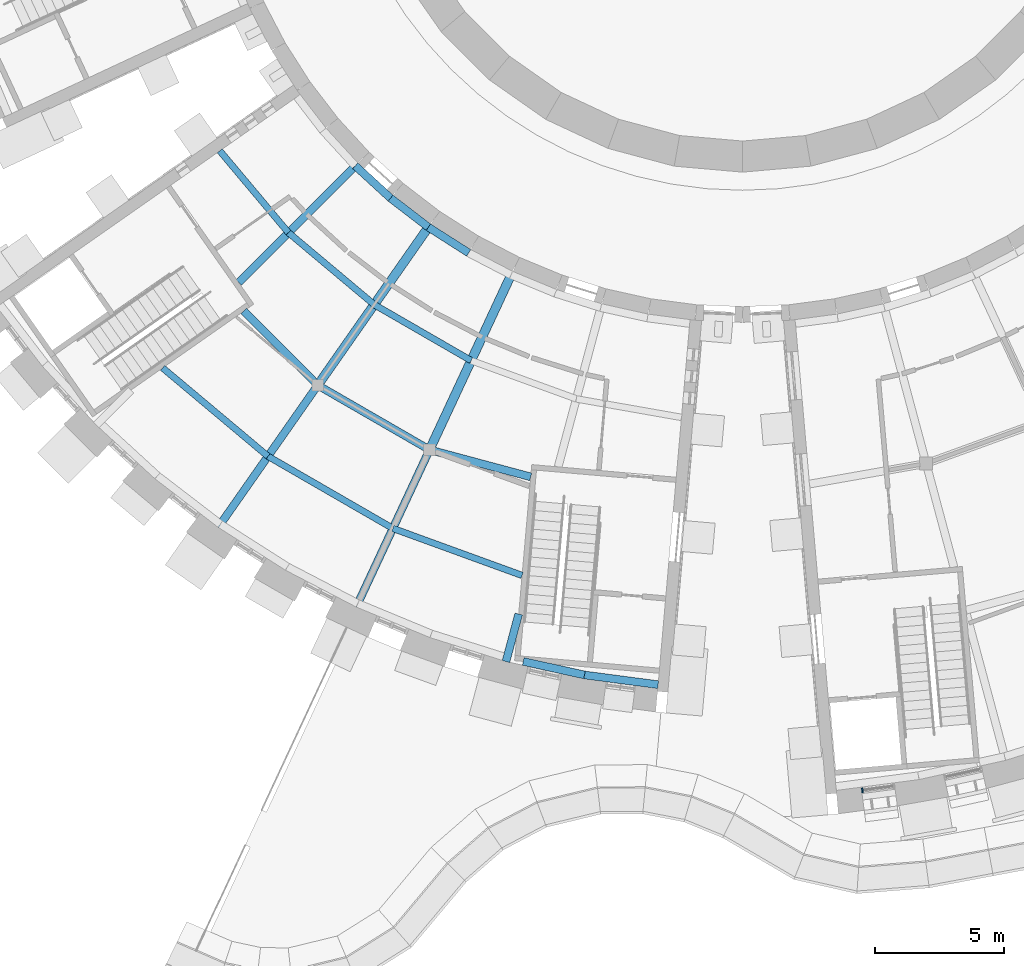
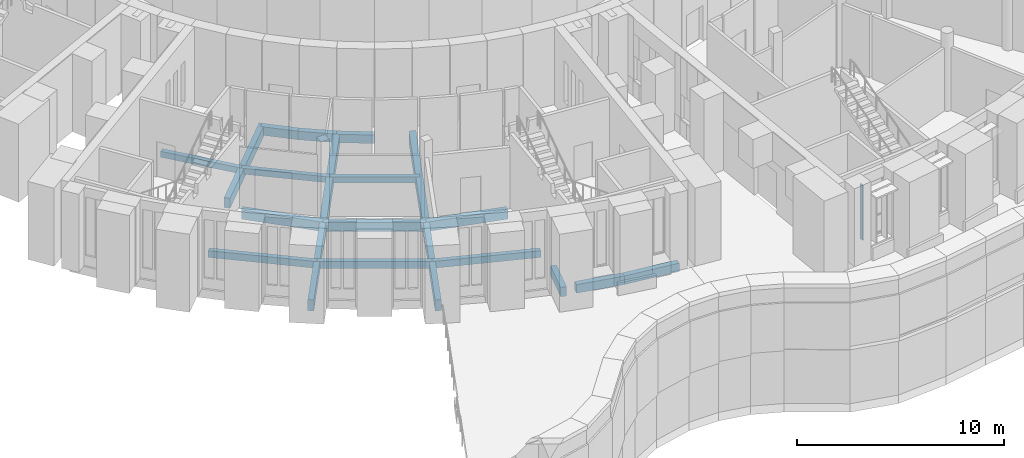
# One storey, part 3 of 85: 20 beams, 1 member, 1 element without a shape of its own.
"""IFC4 building model written with IfcOpenShell, lengths in metres."""

import ifcopenshell
import ifcopenshell.guid

model = None  # the IFC model being written
_history = None  # IfcOwnerHistory: only IFC2X3 demands one
_inside = {}  # id of a spatial element -> (the spatial element, [elements in it])
_under = {}  # id of a project, library or spatial element -> (it, [spatial elements below it])
_declared = {}  # id of a project -> (the project, [libraries it declares])
_typed = {}  # id of a type object -> (the type object, [elements of that type])
_made_of = {}  # id of a material, layer set ... -> (it, [elements and type objects made of it])


def new_model(schema):
    """Start an empty IFC model of exactly this schema.

    Asked for "IFC4X3", IfcOpenShell would pick the latest addendum, in which some entities
    have other attributes; the version numbers below select the first issue.
    IFC2X3 requires an IfcOwnerHistory on every rooted entity: one is made here for all.
    """
    global model, _history
    if schema == "IFC4X3":
        model = ifcopenshell.file(schema_version=(4, 3, 0, 0))
    else:
        model = ifcopenshell.file(schema=schema)
    _inside.clear()
    _under.clear()
    _declared.clear()
    _typed.clear()
    _made_of.clear()
    _history = None
    if model.schema == "IFC2X3":
        org = make("IfcOrganization", Name="unknown")
        user = make(
            "IfcPersonAndOrganization",
            ThePerson=make("IfcPerson", FamilyName="unknown"),
            TheOrganization=org,
        )
        app = make(
            "IfcApplication",
            ApplicationDeveloper=org,
            Version="unknown",
            ApplicationFullName="unknown",
            ApplicationIdentifier="unknown",
        )
        _history = make(
            "IfcOwnerHistory",
            OwningUser=user,
            OwningApplication=app,
            ChangeAction="ADDED",
            CreationDate=0,
        )
    return model


def make(cls, **values):
    """One entity of the class cls with the attributes given. An attribute that is None is left unset."""
    return model.create_entity(
        cls, **{name: value for name, value in values.items() if value is not None}
    )


def rooted(cls, **values):
    """An entity with a GlobalId (a new one), such as an element, a storey or a relation."""
    return make(cls, GlobalId=ifcopenshell.guid.new(), OwnerHistory=_history, **values)


def si_unit(unit_type, name, prefix=None):
    """IfcSIUnit, for example si_unit("LENGTHUNIT", "METRE", prefix="MILLI")."""
    return make("IfcSIUnit", UnitType=unit_type, Prefix=prefix, Name=name)


def assignment(units):
    """IfcUnitAssignment: the units of a project."""
    return None if units is None else make("IfcUnitAssignment", Units=units)


def point(xyz):
    """IfcCartesianPoint."""
    return None if xyz is None else make("IfcCartesianPoint", Coordinates=xyz)


def direction(xyz):
    """IfcDirection."""
    return None if xyz is None else make("IfcDirection", DirectionRatios=xyz)


def frame(location, z_axis=None, x_axis=None):
    """IfcAxis2Placement3D, a coordinate frame: its origin and axes. An axis left out is left unset."""
    return make(
        "IfcAxis2Placement3D",
        Location=point(location),
        Axis=direction(z_axis),
        RefDirection=direction(x_axis),
    )


def frame_2d(location, x_axis=None):
    """IfcAxis2Placement2D, a coordinate frame in the plane: its origin and x axis."""
    return make(
        "IfcAxis2Placement2D", Location=point(location), RefDirection=direction(x_axis)
    )


def origin():
    """The frame at (0, 0, 0) with its axes left unset."""
    return frame((0.0, 0.0, 0.0))


def origin_2d():
    """The frame at (0, 0) in the plane with its x axis left unset."""
    return frame_2d((0.0, 0.0))


def place(relative_to, where):
    """IfcLocalPlacement: puts the frame where relative to a parent placement (None: the world)."""
    return make(
        "IfcLocalPlacement", PlacementRelTo=relative_to, RelativePlacement=where
    )


def context(
    kind, dimensions, precision=None, world=None, true_north=None, identifier=None
):
    """IfcGeometricRepresentationContext, for example the 3D "Model" context."""
    return make(
        "IfcGeometricRepresentationContext",
        ContextIdentifier=identifier,
        ContextType=kind,
        CoordinateSpaceDimension=dimensions,
        Precision=precision,
        WorldCoordinateSystem=world,
        TrueNorth=true_north,
    )


def subcontext(parent, identifier, kind, view, scale=None):
    """IfcGeometricRepresentationSubContext, for example "Body" below "Model"."""
    return make(
        "IfcGeometricRepresentationSubContext",
        ContextIdentifier=identifier,
        ContextType=kind,
        ParentContext=parent,
        TargetScale=scale,
        TargetView=view,
    )


def project(units=None, contexts=None):
    """IfcProject with its units and contexts."""
    return rooted(
        "IfcProject",
        Name="project",
        RepresentationContexts=contexts,
        UnitsInContext=assignment(units),
    )


def spatial(cls, under=None, at=None, **own):
    """A site, building, storey or space (cls), placed at a placement, below another one or the project."""
    s = rooted(cls, ObjectPlacement=at, **own)
    if under is not None:
        _under.setdefault(under.id(), (under, []))[1].append(s)
    return s


def profile(cls, at=None, kind="AREA", **sizes):
    """A parametric profile (cls). Its sizes go by their IFC names, for example OverallWidth=200.0."""
    return make(cls, ProfileType=kind, Position=at, **sizes)


def rectangle(**sizes):
    """IfcRectangleProfileDef."""
    return profile("IfcRectangleProfileDef", **sizes)


def extrude(swept, where, along, depth):
    """IfcExtrudedAreaSolid: the profile swept, set in the frame where, extruded along a direction by depth."""
    return make(
        "IfcExtrudedAreaSolid",
        SweptArea=swept,
        Position=where,
        ExtrudedDirection=direction(along),
        Depth=depth,
    )


def shape(context_of_items, identifier, shape_type, items):
    """IfcShapeRepresentation: the items that make up one representation, for example the "Body"."""
    return make(
        "IfcShapeRepresentation",
        ContextOfItems=context_of_items,
        RepresentationIdentifier=identifier,
        RepresentationType=shape_type,
        Items=items,
    )


def material(Name=None, Category=None):
    """IfcMaterial."""
    return make("IfcMaterial", Name=Name, Category=Category)


def layer(
    of_material, thickness, ventilated=None, Name=None, Category=None, Priority=None
):
    """IfcMaterialLayer: one layer of a wall or slab, of a material (None: an air gap)."""
    return make(
        "IfcMaterialLayer",
        Material=of_material,
        LayerThickness=thickness,
        IsVentilated=ventilated,
        Name=Name,
        Category=Category,
        Priority=Priority,
    )


def layer_set(layers, Name=None):
    """IfcMaterialLayerSet."""
    return make("IfcMaterialLayerSet", MaterialLayers=layers, LayerSetName=Name)


def material_profile(
    of_material, cross_section, Name=None, Category=None, Priority=None
):
    """IfcMaterialProfile: a cross section and its material."""
    return make(
        "IfcMaterialProfile",
        Name=Name,
        Material=of_material,
        Profile=cross_section,
        Priority=Priority,
        Category=Category,
    )


def profile_set(profiles, Name=None, composite=None):
    """IfcMaterialProfileSet."""
    return make(
        "IfcMaterialProfileSet",
        Name=Name,
        MaterialProfiles=profiles,
        CompositeProfile=composite,
    )


def made_of(thing, what):
    """Note that an element or type object is made of a material, layer set ...; save() writes the relation."""
    if what is not None:
        _made_of.setdefault(what.id(), (what, []))[1].append(thing)
    return thing


def type_object(cls, material=None, **own):
    """A type object (cls), such as IfcWallType, which elements share."""
    return made_of(rooted(cls, **own), material)


def element(
    cls,
    number,
    at=None,
    inside=None,
    cuts=None,
    type_object=None,
    material=None,
    context=None,
    identifier="Body",
    shape_type=None,
    held_by="IfcProductDefinitionShape",
    body=None,
    shapes=None,
    **own,
):
    """One element of the class cls, such as IfcWall. Its Tag is "e" and its number.

    at: its placement. inside: the storey or other place that contains it. cuts: it is an
    opening in that element (IfcRelVoidsElement). A single representation is given by context,
    identifier, shape_type and body (its items); several are given by shapes. held_by: the class
    of the entity that holds the representations. save() writes the other relations.
    """
    e = rooted(cls, Tag="e%d" % number, ObjectPlacement=at, **own)
    if body is not None:
        shapes = [shape(context, identifier, shape_type, body)]
    if shapes is not None:
        e.Representation = make(held_by, Representations=shapes)
    if inside is not None:
        _inside.setdefault(inside.id(), (inside, []))[1].append(e)
    if cuts is not None:
        rooted(
            "IfcRelVoidsElement", RelatingBuildingElement=cuts, RelatedOpeningElement=e
        )
    if type_object is not None:
        _typed.setdefault(type_object.id(), (type_object, []))[1].append(e)
    return made_of(e, material)


def aggregate(whole, parts):
    """IfcRelAggregates: a whole, such as a stair, and the parts it consists of."""
    return rooted("IfcRelAggregates", RelatingObject=whole, RelatedObjects=parts)


def save(model, path):
    """Write the relations noted so far, then the file.

    IfcRelAggregates (storeys below a building ...), IfcRelContainedInSpatialStructure (elements
    in a storey), IfcRelDefinesByType, IfcRelAssociatesMaterial and IfcRelDeclares: one each for
    every whole, place, type object, material and project.
    """
    for whole, parts in _under.values():
        aggregate(whole, parts)
    for where, things in _inside.values():
        rooted(
            "IfcRelContainedInSpatialStructure",
            RelatedElements=things,
            RelatingStructure=where,
        )
    for kind, things in _typed.values():
        rooted("IfcRelDefinesByType", RelatedObjects=things, RelatingType=kind)
    for what, things in _made_of.values():
        rooted("IfcRelAssociatesMaterial", RelatedObjects=things, RelatingMaterial=what)
    for by, libraries in _declared.values():
        rooted("IfcRelDeclares", RelatingContext=by, RelatedDefinitions=libraries)
    model.write(path)


model = new_model("IFC4")

# Units and contexts
model_context = context("Model", 3, precision=1e-05, world=origin(), true_north=direction((0.0, 1.0)))
body_context = subcontext(model_context, "Body", "Model", "MODEL_VIEW")
ifc_project = project(units=[si_unit("LENGTHUNIT", "METRE"), si_unit("AREAUNIT", "SQUARE_METRE"), si_unit("VOLUMEUNIT", "CUBIC_METRE"), si_unit("PLANEANGLEUNIT", "RADIAN"), si_unit("MASSUNIT", "GRAM", prefix="KILO")], contexts=[model_context])

# Site, building, storey
site_placement = place(None, origin())
site = spatial("IfcSite", under=ifc_project, at=site_placement, CompositionType="ELEMENT")
building_placement = place(site_placement, origin())
building = spatial("IfcBuilding", under=site, at=building_placement, Name="Volute Hill Aquarium", CompositionType="ELEMENT")
storey_placement = place(building_placement, origin())
storey = spatial("IfcBuildingStorey", under=building, at=storey_placement, Name="L01", CompositionType="ELEMENT", Elevation=0.0)

# Beams
ifc_material_1 = material(Name="Concrete C35/45", Category="concrete")
ifc_material_profile_1 = material_profile(ifc_material_1, rectangle(XDim=0.300048828125, YDim=0.550048828125, at=origin_2d()), Name="RC beam 300x550")
ifc_profile_set_1 = profile_set([ifc_material_profile_1], Name="Concrete C35/45")
beam_type_1 = type_object("IfcBeamType", Name="Beam 300x550 C35/45", PredefinedType="BEAM", material=ifc_profile_set_1)
beam_1_placement = place(storey_placement, frame((-8.644775390625, -32.2626953125, -0.534912109375), z_axis=(-0.258774639064, -0.965937723757, 0.0), x_axis=(0.965937723757, -0.258774639064, 0.0)))
element("IfcBeam", 1, at=beam_1_placement, inside=storey, type_object=beam_type_1, Name="bm/S2/L01/rad4.8", PredefinedType="BEAM", context=body_context, shape_type="SweptSolid", body=[
    extrude(rectangle(XDim=0.300048828125, YDim=0.550048828125, at=origin_2d()), origin(), (0.0, 0.0, 1.0), 1.899169921875),
])
beam_2_placement = place(storey_placement, frame((-19.26318359375, -20.568603515625, -0.534912109375), z_axis=(0.707076589398, -0.707136971686, 0.0), x_axis=(0.707136971686, 0.707076589398, 0.0)))
element("IfcBeam", 2, at=beam_2_placement, inside=storey, type_object=beam_type_1, Name="bm/S2/L01/ring1.9", PredefinedType="BEAM", context=body_context, shape_type="SweptSolid", body=[
    extrude(rectangle(XDim=0.300048828125, YDim=0.550048828125, at=origin_2d()), origin(), (0.0, 0.0, 1.0), 4.043212890625),
])
beam_3_placement = place(storey_placement, frame((-16.404296875, -23.427734375, -0.534912109375), z_axis=(0.866022480806, -0.500005062714, 0.0), x_axis=(0.500005062714, 0.866022480806, 0.0)))
element("IfcBeam", 3, at=beam_3_placement, inside=storey, type_object=beam_type_1, Name="bm/S2/L01/ring1.10", PredefinedType="BEAM", context=body_context, shape_type="SweptSolid", body=[
    extrude(rectangle(XDim=0.300048828125, YDim=0.550048828125, at=origin_2d()), origin(), (0.0, 0.0, 1.0), 4.9853515625),
])
beam_4_placement = place(storey_placement, frame((-12.0869140625, -25.92041015625, -0.534912109375), z_axis=(0.965931611121, -0.258797454852, 0.0), x_axis=(0.258797454852, 0.965931611121, 0.0)))
element("IfcBeam", 4, at=beam_4_placement, inside=storey, type_object=beam_type_1, Name="bm/S2/L01/ring1.11", PredefinedType="BEAM", context=body_context, shape_type="SweptSolid", body=[
    extrude(rectangle(XDim=0.300048828125, YDim=0.550048828125, at=origin_2d()), origin(), (0.0, 0.0, 1.0), 4.043212890625),
])
ifc_material_2 = material(Name="Concrete C35/45", Category="concrete")
ifc_material_profile_2 = material_profile(ifc_material_2, rectangle(XDim=0.300048828125, YDim=0.60009765625, at=origin_2d()), Name="RC beam 300x600")
ifc_profile_set_2 = profile_set([ifc_material_profile_2], Name="Concrete C35/45")
beam_type_2 = type_object("IfcBeamType", Name="Beam 300x600 C35/45", PredefinedType="BEAM", material=ifc_profile_set_2)
beam_5_placement = place(storey_placement, frame((-14.84912109375, -14.84912109375, -0.56005859375), z_axis=(-0.707106781187, -0.707106781187, 0.0), x_axis=(0.707106781187, -0.707106781187, 0.0)))
element("IfcBeam", 5, at=beam_5_placement, inside=storey, type_object=beam_type_2, Name="bm/S2/L01/rad1.1", PredefinedType="BEAM", context=body_context, shape_type="SweptSolid", body=[
    extrude(rectangle(XDim=0.300048828125, YDim=0.60009765625, at=origin_2d()), origin(), (0.0, 0.0, 1.0), 6.518310546875),
])
ifc_material_3 = material(Name="Concrete C35/45", Category="concrete")
ifc_material_profile_3 = material_profile(ifc_material_3, rectangle(XDim=0.300048828125, YDim=0.64990234375, at=origin_2d()), Name="RC beam 300x650")
ifc_profile_set_3 = profile_set([ifc_material_profile_3], Name="Concrete C35/45")
beam_type_3 = type_object("IfcBeamType", Name="Beam 300x650 C35/45", PredefinedType="BEAM", material=ifc_profile_set_3)
for number, where, z_axis, x_axis, name in (
    (6, (-16.404296875, -23.427734375, -0.5849609375), (-0.57358461614, -0.819146316678, 0.0), (0.819146316678, -0.57358461614, 0.0), "bm/S2/L01/rad2.4"),
    (7, (-12.0869140625, -25.92041015625, -0.5849609375), (-0.422618139814, -0.906307843892, 0.0), (0.906307843892, -0.422618139814, 0.0), "bm/S2/L01/rad3.6"),
):
    element("IfcBeam", number, at=place(storey_placement, frame(where, z_axis=z_axis, x_axis=x_axis)), inside=storey, type_object=beam_type_3, Name=name, PredefinedType="BEAM", context=body_context, shape_type="SweptSolid", body=[
        extrude(rectangle(XDim=0.300048828125, YDim=0.64990234375, at=origin_2d()), origin(), (0.0, 0.0, 1.0), 6.699951171875),
    ])
ifc_material_4 = material(Name="Concrete C35/45", Category="concrete")
ifc_material_profile_4 = material_profile(ifc_material_4, rectangle(XDim=0.35009765625, YDim=0.699951171875, at=origin_2d()), Name="RC beam 350x700")
ifc_profile_set_4 = profile_set([ifc_material_profile_4], Name="Concrete C35/45")
beam_type_4 = type_object("IfcBeamType", Name="Beam 350x700 C35/45", PredefinedType="BEAM", material=ifc_profile_set_4)
for number, where, z_axis, x_axis, name in (
    (8, (-12.045166015625, -17.2021484375, -0.610107421875), (-0.573570137327, -0.819156454877, 0.0), (0.819156454877, -0.573570137327, 0.0), "bm/S2/L01/rad2.3"),
    (9, (-8.875, -19.032470703125, -0.610107421875), (-0.422619898755, -0.906307023683, 0.0), (0.906307023683, -0.422619898755, 0.0), "bm/S2/L01/rad3.5"),
):
    element("IfcBeam", number, at=place(storey_placement, frame(where, z_axis=z_axis, x_axis=x_axis)), inside=storey, type_object=beam_type_4, Name=name, PredefinedType="BEAM", context=body_context, shape_type="SweptSolid", body=[
        extrude(rectangle(XDim=0.35009765625, YDim=0.699951171875, at=origin_2d()), origin(), (0.0, 0.0, 1.0), 7.60009765625),
    ])

# Curtain wall, member
ifc_material_5 = material(Name="Aluminium", Category="aluminium")
ifc_layer = layer(ifc_material_5, 0.25)
ifc_layer_set = layer_set([ifc_layer], Name="Curtain wall niche S3 module 1289")
curtain_wall_type = type_object("IfcCurtainWallType", Name="Curtain wall niche S3 module 1289", PredefinedType="NOTDEFINED", material=ifc_layer_set)
curtain_wall_placement = place(storey_placement, origin())
curtain_wall = element("IfcCurtainWall", 10, at=curtain_wall_placement, inside=storey, type_object=curtain_wall_type, Name="Curtain wall CW S3 L01 1", PredefinedType="NOTDEFINED")
ifc_material_6 = material(Name="Aluminium", Category="aluminium")
ifc_material_profile_5 = material_profile(ifc_material_6, rectangle(XDim=0.179931640625, YDim=0.06005859375, at=origin_2d()), Name="Curtain wall mullion S3 60x180")
ifc_profile_set_5 = profile_set([ifc_material_profile_5], Name="Aluminium")
member_type = type_object("IfcMemberType", Name="Curtain wall mullion S3 60x180", PredefinedType="MULLION", material=ifc_profile_set_5)
member_placement = place(storey_placement, frame((4.62451171875, -39.06787109375, 0.75), z_axis=(0.0, 0.0, 1.0), x_axis=(-0.130506486875, 0.991447455432, 0.0)))
member = element("IfcMember", 11, at=member_placement, type_object=member_type, Name="CW mullion 1", PredefinedType="MULLION", context=body_context, shape_type="SweptSolid", body=[
    extrude(rectangle(XDim=0.179931640625, YDim=0.06005859375, at=origin_2d()), origin(), (0.0, 0.0, 1.0), 3.25),
])
aggregate(curtain_wall, [member])

# Beams
ifc_material_7 = material(Name="Concrete C35/45", Category="concrete")
ifc_material_profile_6 = material_profile(ifc_material_7, rectangle(XDim=0.300048828125, YDim=0.5, at=origin_2d()), Name="RC edge beam 300x500")
ifc_profile_set_6 = profile_set([ifc_material_profile_6], Name="Concrete C35/45")
beam_type_5 = type_object("IfcBeamType", Name="Edge beam 300x500 C35/45", PredefinedType="BEAM", material=ifc_profile_set_6)
for number, where, z_axis, x_axis, name in (
    (12, (-14.955322265625, -14.955322265625, -0.510009765625), (0.73726397759, -0.675604786356, 0.0), (0.675604786356, 0.73726397759, 0.0), "bm/S2/L01/edgeD.14"),
    (13, (-13.594970703125, -16.201904296875, -0.510009765625), (0.79334647843, -0.608770371457, 0.0), (0.608770371457, 0.79334647843, 0.0), "bm/S2/L01/edgeD.15"),
):
    element("IfcBeam", number, at=place(storey_placement, frame(where, z_axis=z_axis, x_axis=x_axis)), inside=storey, type_object=beam_type_5, Name=name, PredefinedType="BEAM", context=body_context, shape_type="SweptSolid", body=[
        extrude(rectangle(XDim=0.300048828125, YDim=0.5, at=origin_2d()), origin(), (0.0, 0.0, 1.0), 1.84521484375),
    ])
beam_6_placement = place(storey_placement, frame((-12.131103515625, -17.3251953125, -0.510009765625), z_axis=(0.843334400185, -0.537389141558, 0.0), x_axis=(0.537389141558, 0.843334400185, 0.0)))
element("IfcBeam", 14, at=beam_6_placement, inside=storey, type_object=beam_type_5, Name="bm/S2/L01/edgeD.16", PredefinedType="BEAM", context=body_context, shape_type="SweptSolid", body=[
    extrude(rectangle(XDim=0.300048828125, YDim=0.5, at=origin_2d()), origin(), (0.0, 0.0, 1.0), 1.844970703125),
])
beam_7_placement = place(storey_placement, frame((-8.46826171875, -34.091796875, -0.510009765625), z_axis=(0.976298409983, -0.216428775037, 0.0), x_axis=(0.216428775037, 0.976298409983, 0.0)))
element("IfcBeam", 15, at=beam_7_placement, inside=storey, type_object=beam_type_5, Name="bm/S2/L01/edgeO.30", PredefinedType="BEAM", context=body_context, shape_type="SweptSolid", body=[
    extrude(rectangle(XDim=0.300048828125, YDim=0.5, at=origin_2d()), origin(), (0.0, 0.0, 1.0), 2.421875),
])
beam_8_placement = place(storey_placement, frame((-6.103759765625, -34.615966796875, -0.510009765625), z_axis=(0.991449656327, -0.130489765764, 0.0), x_axis=(0.130489765764, 0.991449656327, 0.0)))
element("IfcBeam", 16, at=beam_8_placement, inside=storey, type_object=beam_type_5, Name="bm/S2/L01/edgeO.31", PredefinedType="BEAM", context=body_context, shape_type="SweptSolid", body=[
    extrude(rectangle(XDim=0.300048828125, YDim=0.5, at=origin_2d()), origin(), (0.0, 0.0, 1.0), 2.8662109375),
])
ifc_material_8 = material(Name="Concrete C35/45", Category="concrete")
ifc_material_profile_7 = material_profile(ifc_material_8, rectangle(XDim=0.25, YDim=0.35009765625, at=origin_2d()), Name="RC joist 250x350")
ifc_profile_set_7 = profile_set([ifc_material_profile_7], Name="Concrete C35/45")
beam_type_6 = type_object("IfcBeamType", Name="Joist 250x350 C35/45", PredefinedType="BEAM", material=ifc_profile_set_7)
beam_9_placement = place(storey_placement, frame((-20.185791015625, -14.37841796875, -0.43505859375), z_axis=(0.642790576799, -0.766041953406, 0.0), x_axis=(0.766041953406, 0.642790576799, 0.0)))
element("IfcBeam", 17, at=beam_9_placement, inside=storey, type_object=beam_type_6, Name="bm/S2/L01/jst1", PredefinedType="BEAM", context=body_context, shape_type="SweptSolid", body=[
    extrude(rectangle(XDim=0.25, YDim=0.35009765625, at=origin_2d()), origin(), (0.0, 0.0, 1.0), 4.1220703125),
])
beam_10_placement = place(storey_placement, frame((-17.5361328125, -17.5361328125, -0.43505859375), z_axis=(0.766031856684, -0.642802609317, 0.0), x_axis=(0.642802609317, 0.766031856684, 0.0)))
element("IfcBeam", 18, at=beam_10_placement, inside=storey, type_object=beam_type_6, Name="bm/S2/L01/jst2", PredefinedType="BEAM", context=body_context, shape_type="SweptSolid", body=[
    extrude(rectangle(XDim=0.25, YDim=0.35009765625, at=origin_2d()), origin(), (0.0, 0.0, 1.0), 4.322998046875),
])
beam_11_placement = place(storey_placement, frame((-14.224609375, -20.31494140625, -0.43505859375), z_axis=(0.866027580996, -0.49999622894, 0.0), x_axis=(0.49999622894, 0.866027580996, 0.0)))
element("IfcBeam", 19, at=beam_11_placement, inside=storey, type_object=beam_type_6, Name="bm/S2/L01/jst3", PredefinedType="BEAM", context=body_context, shape_type="SweptSolid", body=[
    extrude(rectangle(XDim=0.25, YDim=0.35009765625, at=origin_2d()), origin(), (0.0, 0.0, 1.0), 4.32275390625),
])
ifc_material_9 = material(Name="Concrete C35/45", Category="concrete")
ifc_material_profile_8 = material_profile(ifc_material_9, rectangle(XDim=0.25, YDim=0.39990234375, at=origin_2d()), Name="RC joist 250x400")
ifc_profile_set_8 = profile_set([ifc_material_profile_8], Name="Concrete C35/45")
beam_type_7 = type_object("IfcBeamType", Name="Joist 250x400 C35/45", PredefinedType="BEAM", material=ifc_profile_set_8)
beam_12_placement = place(storey_placement, frame((-22.392333984375, -22.759765625, -0.4599609375), z_axis=(0.766064429053, -0.642763790625, 0.0), x_axis=(0.642763790625, 0.766064429053, 0.0)))
element("IfcBeam", 20, at=beam_12_placement, inside=storey, type_object=beam_type_7, Name="bm/S2/L01/jst6", PredefinedType="BEAM", context=body_context, shape_type="SweptSolid", body=[
    extrude(rectangle(XDim=0.25, YDim=0.39990234375, at=origin_2d()), origin(), (0.0, 0.0, 1.0), 5.30859375),
])
beam_13_placement = place(storey_placement, frame((-18.32568359375, -26.171875, -0.4599609375), z_axis=(0.866016948311, -0.500014645023, 0.0), x_axis=(0.500014645023, 0.866016948311, 0.0)))
element("IfcBeam", 21, at=beam_13_placement, inside=storey, type_object=beam_type_7, Name="bm/S2/L01/jst7", PredefinedType="BEAM", context=body_context, shape_type="SweptSolid", body=[
    extrude(rectangle(XDim=0.25, YDim=0.39990234375, at=origin_2d()), origin(), (0.0, 0.0, 1.0), 5.569091796875),
])
beam_14_placement = place(storey_placement, frame((-13.502685546875, -28.95654296875, -0.4599609375), z_axis=(0.939687296872, -0.342034770303, 0.0), x_axis=(0.342034770303, 0.939687296872, 0.0)))
element("IfcBeam", 22, at=beam_14_placement, inside=storey, type_object=beam_type_7, Name="bm/S2/L01/jst8", PredefinedType="BEAM", context=body_context, shape_type="SweptSolid", body=[
    extrude(rectangle(XDim=0.25, YDim=0.39990234375, at=origin_2d()), origin(), (0.0, 0.0, 1.0), 5.308349609375),
])

save(model, "model.ifc")
